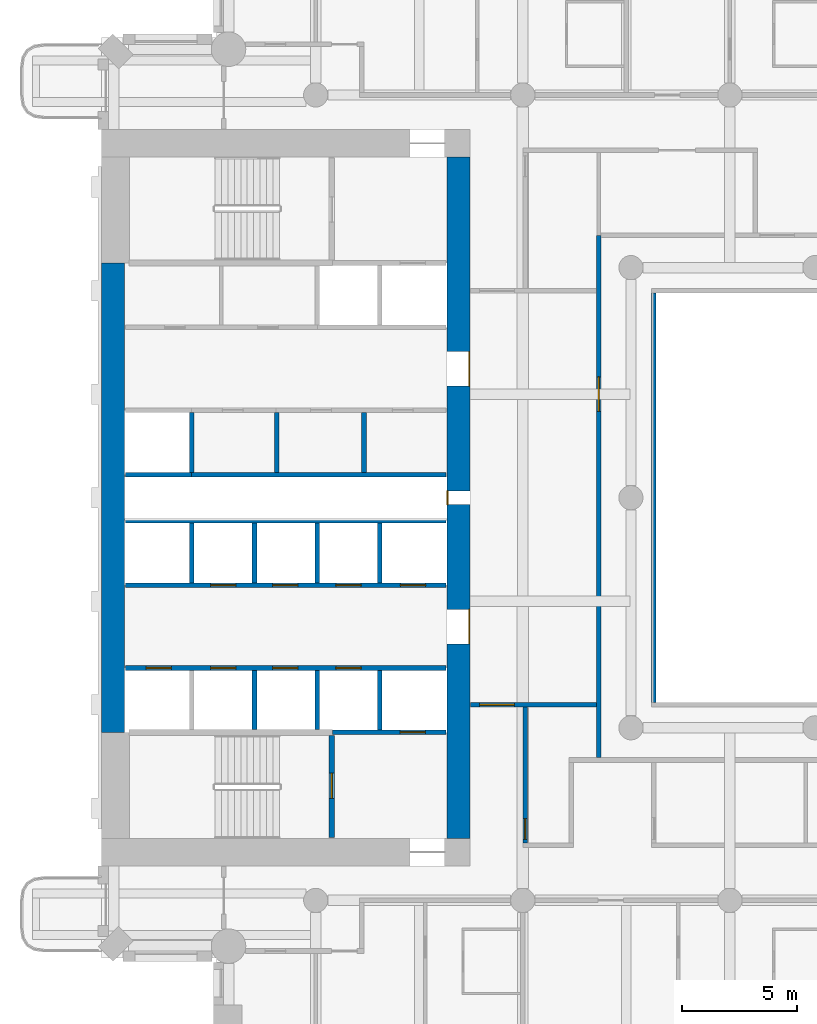
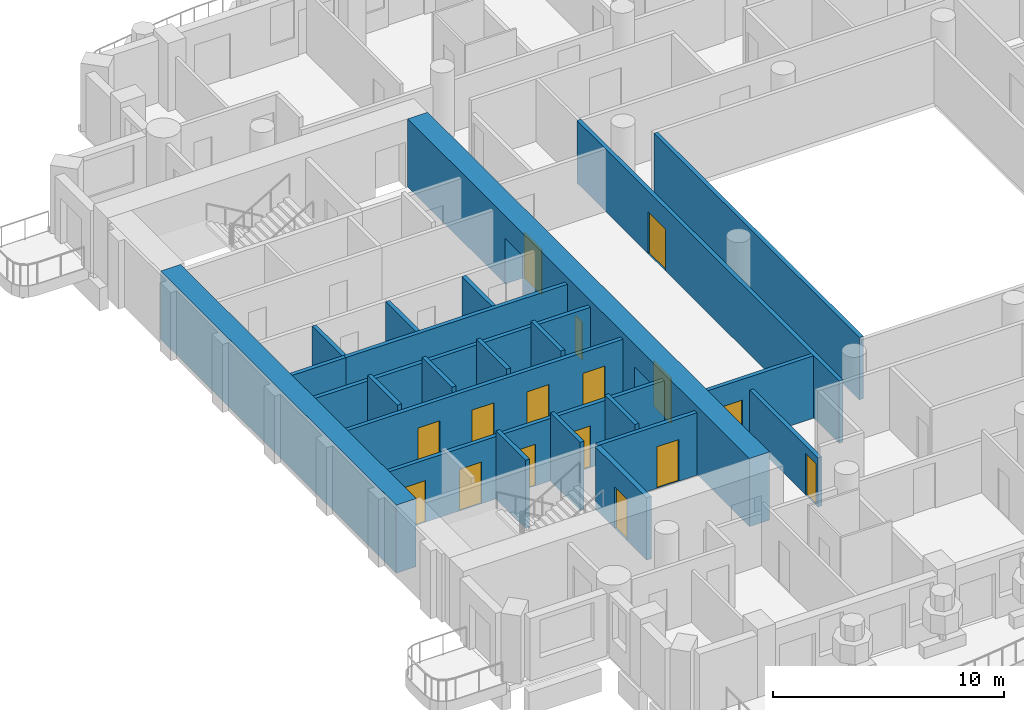
# One storey, part 4 of 20: 23 walls, 16 doors, 16 openings.
"""IFC4 building model written with IfcOpenShell, lengths in metres."""

import ifcopenshell
import ifcopenshell.guid

model = None  # the IFC model being written
_history = None  # IfcOwnerHistory: only IFC2X3 demands one
_inside = {}  # id of a spatial element -> (the spatial element, [elements in it])
_under = {}  # id of a project, library or spatial element -> (it, [spatial elements below it])
_declared = {}  # id of a project -> (the project, [libraries it declares])
_typed = {}  # id of a type object -> (the type object, [elements of that type])
_made_of = {}  # id of a material, layer set ... -> (it, [elements and type objects made of it])


def new_model(schema):
    """Start an empty IFC model of exactly this schema.

    Asked for "IFC4X3", IfcOpenShell would pick the latest addendum, in which some entities
    have other attributes; the version numbers below select the first issue.
    IFC2X3 requires an IfcOwnerHistory on every rooted entity: one is made here for all.
    """
    global model, _history
    if schema == "IFC4X3":
        model = ifcopenshell.file(schema_version=(4, 3, 0, 0))
    else:
        model = ifcopenshell.file(schema=schema)
    _inside.clear()
    _under.clear()
    _declared.clear()
    _typed.clear()
    _made_of.clear()
    _history = None
    if model.schema == "IFC2X3":
        org = make("IfcOrganization", Name="unknown")
        user = make(
            "IfcPersonAndOrganization",
            ThePerson=make("IfcPerson", FamilyName="unknown"),
            TheOrganization=org,
        )
        app = make(
            "IfcApplication",
            ApplicationDeveloper=org,
            Version="unknown",
            ApplicationFullName="unknown",
            ApplicationIdentifier="unknown",
        )
        _history = make(
            "IfcOwnerHistory",
            OwningUser=user,
            OwningApplication=app,
            ChangeAction="ADDED",
            CreationDate=0,
        )
    return model


def make(cls, **values):
    """One entity of the class cls with the attributes given. An attribute that is None is left unset."""
    return model.create_entity(
        cls, **{name: value for name, value in values.items() if value is not None}
    )


def rooted(cls, **values):
    """An entity with a GlobalId (a new one), such as an element, a storey or a relation."""
    return make(cls, GlobalId=ifcopenshell.guid.new(), OwnerHistory=_history, **values)


def si_unit(unit_type, name, prefix=None):
    """IfcSIUnit, for example si_unit("LENGTHUNIT", "METRE", prefix="MILLI")."""
    return make("IfcSIUnit", UnitType=unit_type, Prefix=prefix, Name=name)


def assignment(units):
    """IfcUnitAssignment: the units of a project."""
    return None if units is None else make("IfcUnitAssignment", Units=units)


def point(xyz):
    """IfcCartesianPoint."""
    return None if xyz is None else make("IfcCartesianPoint", Coordinates=xyz)


def direction(xyz):
    """IfcDirection."""
    return None if xyz is None else make("IfcDirection", DirectionRatios=xyz)


def frame(location, z_axis=None, x_axis=None):
    """IfcAxis2Placement3D, a coordinate frame: its origin and axes. An axis left out is left unset."""
    return make(
        "IfcAxis2Placement3D",
        Location=point(location),
        Axis=direction(z_axis),
        RefDirection=direction(x_axis),
    )


def frame_2d(location, x_axis=None):
    """IfcAxis2Placement2D, a coordinate frame in the plane: its origin and x axis."""
    return make(
        "IfcAxis2Placement2D", Location=point(location), RefDirection=direction(x_axis)
    )


def origin():
    """The frame at (0, 0, 0) with its axes left unset."""
    return frame((0.0, 0.0, 0.0))


def place(relative_to, where):
    """IfcLocalPlacement: puts the frame where relative to a parent placement (None: the world)."""
    return make(
        "IfcLocalPlacement", PlacementRelTo=relative_to, RelativePlacement=where
    )


def context(
    kind, dimensions, precision=None, world=None, true_north=None, identifier=None
):
    """IfcGeometricRepresentationContext, for example the 3D "Model" context."""
    return make(
        "IfcGeometricRepresentationContext",
        ContextIdentifier=identifier,
        ContextType=kind,
        CoordinateSpaceDimension=dimensions,
        Precision=precision,
        WorldCoordinateSystem=world,
        TrueNorth=true_north,
    )


def subcontext(parent, identifier, kind, view, scale=None):
    """IfcGeometricRepresentationSubContext, for example "Body" below "Model"."""
    return make(
        "IfcGeometricRepresentationSubContext",
        ContextIdentifier=identifier,
        ContextType=kind,
        ParentContext=parent,
        TargetScale=scale,
        TargetView=view,
    )


def project(units=None, contexts=None):
    """IfcProject with its units and contexts."""
    return rooted(
        "IfcProject",
        Name="project",
        RepresentationContexts=contexts,
        UnitsInContext=assignment(units),
    )


def spatial(cls, under=None, at=None, **own):
    """A site, building, storey or space (cls), placed at a placement, below another one or the project."""
    s = rooted(cls, ObjectPlacement=at, **own)
    if under is not None:
        _under.setdefault(under.id(), (under, []))[1].append(s)
    return s


def profile(cls, at=None, kind="AREA", **sizes):
    """A parametric profile (cls). Its sizes go by their IFC names, for example OverallWidth=200.0."""
    return make(cls, ProfileType=kind, Position=at, **sizes)


def rectangle(**sizes):
    """IfcRectangleProfileDef."""
    return profile("IfcRectangleProfileDef", **sizes)


def extrude(swept, where, along, depth):
    """IfcExtrudedAreaSolid: the profile swept, set in the frame where, extruded along a direction by depth."""
    return make(
        "IfcExtrudedAreaSolid",
        SweptArea=swept,
        Position=where,
        ExtrudedDirection=direction(along),
        Depth=depth,
    )


def shape(context_of_items, identifier, shape_type, items):
    """IfcShapeRepresentation: the items that make up one representation, for example the "Body"."""
    return make(
        "IfcShapeRepresentation",
        ContextOfItems=context_of_items,
        RepresentationIdentifier=identifier,
        RepresentationType=shape_type,
        Items=items,
    )


def material(Name=None, Category=None):
    """IfcMaterial."""
    return make("IfcMaterial", Name=Name, Category=Category)


def layer(
    of_material, thickness, ventilated=None, Name=None, Category=None, Priority=None
):
    """IfcMaterialLayer: one layer of a wall or slab, of a material (None: an air gap)."""
    return make(
        "IfcMaterialLayer",
        Material=of_material,
        LayerThickness=thickness,
        IsVentilated=ventilated,
        Name=Name,
        Category=Category,
        Priority=Priority,
    )


def layer_set(layers, Name=None):
    """IfcMaterialLayerSet."""
    return make("IfcMaterialLayerSet", MaterialLayers=layers, LayerSetName=Name)


def made_of(thing, what):
    """Note that an element or type object is made of a material, layer set ...; save() writes the relation."""
    if what is not None:
        _made_of.setdefault(what.id(), (what, []))[1].append(thing)
    return thing


def type_object(cls, material=None, **own):
    """A type object (cls), such as IfcWallType, which elements share."""
    return made_of(rooted(cls, **own), material)


def element(
    cls,
    number,
    at=None,
    inside=None,
    cuts=None,
    type_object=None,
    material=None,
    context=None,
    identifier="Body",
    shape_type=None,
    held_by="IfcProductDefinitionShape",
    body=None,
    shapes=None,
    **own,
):
    """One element of the class cls, such as IfcWall. Its Tag is "e" and its number.

    at: its placement. inside: the storey or other place that contains it. cuts: it is an
    opening in that element (IfcRelVoidsElement). A single representation is given by context,
    identifier, shape_type and body (its items); several are given by shapes. held_by: the class
    of the entity that holds the representations. save() writes the other relations.
    """
    e = rooted(cls, Tag="e%d" % number, ObjectPlacement=at, **own)
    if body is not None:
        shapes = [shape(context, identifier, shape_type, body)]
    if shapes is not None:
        e.Representation = make(held_by, Representations=shapes)
    if inside is not None:
        _inside.setdefault(inside.id(), (inside, []))[1].append(e)
    if cuts is not None:
        rooted(
            "IfcRelVoidsElement", RelatingBuildingElement=cuts, RelatedOpeningElement=e
        )
    if type_object is not None:
        _typed.setdefault(type_object.id(), (type_object, []))[1].append(e)
    return made_of(e, material)


def fill(opening, filler):
    """IfcRelFillsElement: the door or window that sits in an opening."""
    return rooted(
        "IfcRelFillsElement",
        RelatingOpeningElement=opening,
        RelatedBuildingElement=filler,
    )


def aggregate(whole, parts):
    """IfcRelAggregates: a whole, such as a stair, and the parts it consists of."""
    return rooted("IfcRelAggregates", RelatingObject=whole, RelatedObjects=parts)


def save(model, path):
    """Write the relations noted so far, then the file.

    IfcRelAggregates (storeys below a building ...), IfcRelContainedInSpatialStructure (elements
    in a storey), IfcRelDefinesByType, IfcRelAssociatesMaterial and IfcRelDeclares: one each for
    every whole, place, type object, material and project.
    """
    for whole, parts in _under.values():
        aggregate(whole, parts)
    for where, things in _inside.values():
        rooted(
            "IfcRelContainedInSpatialStructure",
            RelatedElements=things,
            RelatingStructure=where,
        )
    for kind, things in _typed.values():
        rooted("IfcRelDefinesByType", RelatedObjects=things, RelatingType=kind)
    for what, things in _made_of.values():
        rooted("IfcRelAssociatesMaterial", RelatedObjects=things, RelatingMaterial=what)
    for by, libraries in _declared.values():
        rooted("IfcRelDeclares", RelatingContext=by, RelatedDefinitions=libraries)
    model.write(path)


model = new_model("IFC4")

# Units and contexts
model_context = context("Model", 3, precision=1e-05, world=origin(), true_north=direction((0.0, 1.0)))
body_context = subcontext(model_context, "Body", "Model", "MODEL_VIEW")
ifc_project = project(units=[si_unit("LENGTHUNIT", "METRE"), si_unit("AREAUNIT", "SQUARE_METRE"), si_unit("VOLUMEUNIT", "CUBIC_METRE"), si_unit("PLANEANGLEUNIT", "RADIAN"), si_unit("MASSUNIT", "GRAM", prefix="KILO")], contexts=[model_context])

# Site, building, storey
site_placement = place(None, origin())
site = spatial("IfcSite", under=ifc_project, at=site_placement, CompositionType="ELEMENT")
building_placement = place(site_placement, origin())
building = spatial("IfcBuilding", under=site, at=building_placement, Name="Cypress Arch Tower", CompositionType="ELEMENT")
storey_placement = place(building_placement, frame((0.0, 0.0, 131.10009765625)))
storey = spatial("IfcBuildingStorey", under=building, at=storey_placement, Name="L28", CompositionType="ELEMENT", Elevation=131.10009765625)

# Wall, openings, doors
ifc_material_1 = material(Name="Concrete C80/95", Category="concrete")
ifc_layer_1 = layer(ifc_material_1, 1.0)
ifc_layer_set_1 = layer_set([ifc_layer_1], Name="Core wall CW1000 C80/95")
wall_type_1 = type_object("IfcWallType", Name="Core wall CW1000 C80/95", PredefinedType="SHEAR", material=ifc_layer_set_1)
wall_1_placement = place(storey_placement, frame((-14.5, -14.800048828125, 0.0), z_axis=(0.0, 0.0, 1.0), x_axis=(0.0, 1.0, 0.0)))
wall_1 = element("IfcWall", 1, at=wall_1_placement, inside=storey, type_object=wall_type_1, Name="Core wall", PredefinedType="SHEAR", context=body_context, shape_type="SweptSolid", body=[
    extrude(rectangle(XDim=29.60009765625, YDim=1.0, at=frame_2d((14.800048828125, 0.0))), origin(), (0.0, 0.0, 1.0), 3.599853515625),
])
opening_1_placement = place(wall_1_placement, frame((8.449951171875, 0.0, 0.0)))
opening_1 = element("IfcOpeningElement", 2, at=opening_1_placement, cuts=wall_1, Name="Opening D07", PredefinedType="OPENING", context=body_context, shape_type="SweptSolid", body=[
    extrude(rectangle(XDim=1.5, YDim=2.39990234375, at=frame_2d((0.75, 1.199951171875))), frame((0.0, 0.510009765625, 0.0), z_axis=(0.0, -1.0, 0.0), x_axis=(1.0, 0.0, 0.0)), (0.0, 0.0, 1.0), 1.02001953125),
])
opening_2_placement = place(wall_1_placement, frame((19.64990234375, 0.0, 0.0)))
opening_2 = element("IfcOpeningElement", 3, at=opening_2_placement, cuts=wall_1, Name="Opening D07", PredefinedType="OPENING", context=body_context, shape_type="SweptSolid", body=[
    extrude(rectangle(XDim=1.5, YDim=2.39990234375, at=frame_2d((0.75, 1.199951171875))), frame((0.0, 0.510009765625, 0.0), z_axis=(0.0, -1.0, 0.0), x_axis=(1.0, 0.0, 0.0)), (0.0, 0.0, 1.0), 1.02001953125),
])
opening_3_placement = place(wall_1_placement, frame((14.5, 0.0, 0.0)))
opening_3 = element("IfcOpeningElement", 4, at=opening_3_placement, cuts=wall_1, Name="Opening D08", PredefinedType="OPENING", context=body_context, shape_type="SweptSolid", body=[
    extrude(rectangle(XDim=0.60009765625, YDim=2.0, at=frame_2d((0.300048828125, 1.0))), frame((0.0, 0.510009765625, 0.0), z_axis=(0.0, -1.0, 0.0), x_axis=(1.0, 0.0, 0.0)), (0.0, 0.0, 1.0), 1.02001953125),
])
ifc_material_2 = material(Name="Steel framed glazed door, fire resisting", Category="steel")
door_type_1 = type_object("IfcDoorType", Name="Lobby door D07 1500x2400", OperationType="DOUBLE_DOOR_SINGLE_SWING", PredefinedType="DOOR", material=ifc_material_2)
door_1_placement = place(opening_1_placement, origin())
door_1 = element("IfcDoor", 5, at=door_1_placement, inside=storey, type_object=door_type_1, Name="Lobby door", OperationType="DOUBLE_DOOR_SINGLE_SWING", OverallHeight=2.39990234375, OverallWidth=1.5, PredefinedType="DOOR", context=body_context, shape_type="SweptSolid", body=[
    extrude(rectangle(XDim=1.5, YDim=2.39990234375, at=frame_2d((0.75, 1.199951171875))), frame((0.0, -0.44482421875, 0.0), z_axis=(0.0, -1.0, 0.0), x_axis=(1.0, 0.0, 0.0)), (0.0, 0.0, 1.0), 0.050048828125),
])
fill(opening_1, door_1)
door_2_placement = place(opening_2_placement, origin())
door_2 = element("IfcDoor", 6, at=door_2_placement, inside=storey, type_object=door_type_1, Name="Lobby door", OperationType="DOUBLE_DOOR_SINGLE_SWING", OverallHeight=2.39990234375, OverallWidth=1.5, PredefinedType="DOOR", context=body_context, shape_type="SweptSolid", body=[
    extrude(rectangle(XDim=1.5, YDim=2.39990234375, at=frame_2d((0.75, 1.199951171875))), frame((0.0, -0.44482421875, 0.0), z_axis=(0.0, -1.0, 0.0), x_axis=(1.0, 0.0, 0.0)), (0.0, 0.0, 1.0), 0.050048828125),
])
fill(opening_2, door_2)
ifc_material_3 = material(Name="Steel access door, fire resisting", Category="steel")
door_type_2 = type_object("IfcDoorType", Name="Riser access door D08 600x2000", OperationType="SINGLE_SWING_LEFT", PredefinedType="DOOR", material=ifc_material_3)
door_3_placement = place(opening_3_placement, origin())
door_3 = element("IfcDoor", 7, at=door_3_placement, inside=storey, type_object=door_type_2, Name="Riser access door", OperationType="SINGLE_SWING_RIGHT", OverallHeight=2.0, OverallWidth=0.60009765625, PredefinedType="DOOR", context=body_context, shape_type="SweptSolid", body=[
    extrude(rectangle(XDim=0.60009765625, YDim=2.0, at=frame_2d((0.300048828125, 1.0))), frame((0.0, 0.4951171875, 0.0), z_axis=(0.0, -1.0, 0.0), x_axis=(1.0, 0.0, 0.0)), (0.0, 0.0, 1.0), 0.050048828125),
])
fill(opening_3, door_3)

# Wall
wall_2_placement = place(storey_placement, frame((-29.5, -10.199951171875, 0.0), z_axis=(0.0, 0.0, 1.0), x_axis=(0.0, 1.0, 0.0)))
element("IfcWall", 8, at=wall_2_placement, inside=storey, type_object=wall_type_1, Name="Core wall", PredefinedType="SHEAR", context=body_context, shape_type="SweptSolid", body=[
    extrude(rectangle(XDim=20.39990234375, YDim=1.0, at=frame_2d((10.199951171875, 0.0))), origin(), (0.0, 0.0, 1.0), 3.599853515625),
])

# Wall, opening, door
ifc_material_4 = material(Name="Concrete blockwork, plastered, rated", Category="masonry")
ifc_layer_2 = layer(ifc_material_4, 0.199951171875)
ifc_layer_set_2 = layer_set([ifc_layer_2], Name="Corridor wall FW200")
wall_type_2 = type_object("IfcWallType", Name="Corridor wall FW200", PredefinedType="PARTITIONING", material=ifc_layer_set_2)
wall_3_placement = place(storey_placement, frame((-13.969970703125, -9.0, 0.0), z_axis=(0.0, 0.0, 1.0), x_axis=(1.0, 0.0, 0.0)))
wall_3 = element("IfcWall", 9, at=wall_3_placement, inside=storey, type_object=wall_type_2, Name="Corridor wall", PredefinedType="PARTITIONING", context=body_context, shape_type="SweptSolid", body=[
    extrude(rectangle(XDim=5.469970703125, YDim=0.199951171875, at=frame_2d((2.73486328125, 0.0))), origin(), (0.0, 0.0, 1.0), 3.2998046875),
])
opening_4_placement = place(wall_3_placement, frame((0.39990234375, 0.0, 0.0)))
opening_4 = element("IfcOpeningElement", 10, at=opening_4_placement, cuts=wall_3, Name="Opening D04", PredefinedType="OPENING", context=body_context, shape_type="SweptSolid", body=[
    extrude(rectangle(XDim=1.5, YDim=2.199951171875, at=frame_2d((0.75, 1.10009765625))), frame((0.0, 0.10986328125, 0.0), z_axis=(0.0, -1.0, 0.0), x_axis=(1.0, 0.0, 0.0)), (0.0, 0.0, 1.0), 0.219970703125),
])
ifc_material_5 = material(Name="Timber double door", Category="wood")
door_type_3 = type_object("IfcDoorType", Name="Double door D04 1500x2200", OperationType="DOUBLE_DOOR_SINGLE_SWING", PredefinedType="DOOR", material=ifc_material_5)
door_4_placement = place(opening_4_placement, origin())
door_4 = element("IfcDoor", 11, at=door_4_placement, inside=storey, type_object=door_type_3, Name="Double door", OperationType="DOUBLE_DOOR_SINGLE_SWING", OverallHeight=2.199951171875, OverallWidth=1.5, PredefinedType="DOOR", context=body_context, shape_type="SweptSolid", body=[
    extrude(rectangle(XDim=1.5, YDim=2.199951171875, at=frame_2d((0.75, 1.10009765625))), frame((0.0, 0.02490234375, 0.0), z_axis=(0.0, -1.0, 0.0), x_axis=(1.0, 0.0, 0.0)), (0.0, 0.0, 1.0), 0.050048828125),
])
fill(opening_4, door_4)

wall_4_placement = place(storey_placement, frame((-11.60009765625, -15.0, 0.0), z_axis=(0.0, 0.0, 1.0), x_axis=(0.0, 1.0, 0.0)))
wall_4 = element("IfcWall", 12, at=wall_4_placement, inside=storey, type_object=wall_type_2, Name="Corridor wall", PredefinedType="PARTITIONING", context=body_context, shape_type="SweptSolid", body=[
    extrude(rectangle(XDim=5.89990234375, YDim=0.199951171875, at=frame_2d((2.949951171875, 0.0))), origin(), (0.0, 0.0, 1.0), 2.599853515625),
])
opening_5_placement = place(wall_4_placement, frame((0.14990234375, 0.0, 0.0)))
opening_5 = element("IfcOpeningElement", 13, at=opening_5_placement, cuts=wall_4, Name="Opening D05", PredefinedType="OPENING", context=body_context, shape_type="SweptSolid", body=[
    extrude(rectangle(XDim=0.89990234375, YDim=2.199951171875, at=frame_2d((0.449951171875, 1.10009765625))), frame((0.0, 0.10986328125, 0.0), z_axis=(0.0, -1.0, 0.0), x_axis=(1.0, 0.0, 0.0)), (0.0, 0.0, 1.0), 0.219970703125),
])
ifc_material_6 = material(Name="Timber flush door", Category="wood")
door_type_4 = type_object("IfcDoorType", Name="Service door D05 900x2200", OperationType="SINGLE_SWING_LEFT", PredefinedType="DOOR", material=ifc_material_6)
door_5_placement = place(opening_5_placement, origin())
door_5 = element("IfcDoor", 14, at=door_5_placement, inside=storey, type_object=door_type_4, Name="Service door", OperationType="SINGLE_SWING_RIGHT", OverallHeight=2.199951171875, OverallWidth=0.89990234375, PredefinedType="DOOR", context=body_context, shape_type="SweptSolid", body=[
    extrude(rectangle(XDim=0.89990234375, YDim=2.199951171875, at=frame_2d((0.449951171875, 1.10009765625))), frame((0.0, 0.02490234375, 0.0), z_axis=(0.0, -1.0, 0.0), x_axis=(1.0, 0.0, 0.0)), (0.0, 0.0, 1.0), 0.050048828125),
])
fill(opening_5, door_5)

wall_5_placement = place(storey_placement, frame((-8.39990234375, -11.300048828125, 0.0), z_axis=(0.0, 0.0, 1.0), x_axis=(0.0, 1.0, 0.0)))
wall_5 = element("IfcWall", 15, at=wall_5_placement, inside=storey, type_object=wall_type_2, Name="Corridor wall", PredefinedType="PARTITIONING", context=body_context, shape_type="SweptSolid", body=[
    extrude(rectangle(XDim=22.699951171875, YDim=0.199951171875, at=frame_2d((11.35009765625, 0.0))), origin(), (0.0, 0.0, 1.0), 3.2998046875),
])
opening_6_placement = place(wall_5_placement, frame((15.050048828125, 0.0, 0.0)))
opening_6 = element("IfcOpeningElement", 16, at=opening_6_placement, cuts=wall_5, Name="Opening D04", PredefinedType="OPENING", context=body_context, shape_type="SweptSolid", body=[
    extrude(rectangle(XDim=1.5, YDim=2.199951171875, at=frame_2d((0.75, 1.10009765625))), frame((0.0, 0.10986328125, 0.0), z_axis=(0.0, -1.0, 0.0), x_axis=(1.0, 0.0, 0.0)), (0.0, 0.0, 1.0), 0.219970703125),
])
door_6_placement = place(opening_6_placement, origin())
door_6 = element("IfcDoor", 17, at=door_6_placement, inside=storey, type_object=door_type_3, Name="Double door", OperationType="DOUBLE_DOOR_SINGLE_SWING", OverallHeight=2.199951171875, OverallWidth=1.5, PredefinedType="DOOR", context=body_context, shape_type="SweptSolid", body=[
    extrude(rectangle(XDim=1.5, YDim=2.199951171875, at=frame_2d((0.75, 1.10009765625))), frame((0.0, 0.02490234375, 0.0), z_axis=(0.0, -1.0, 0.0), x_axis=(1.0, 0.0, 0.0)), (0.0, 0.0, 1.0), 0.050048828125),
])
fill(opening_6, door_6)

# Walls
wall_6_placement = place(storey_placement, frame((-6.0, -8.89990234375, 0.0), z_axis=(0.0, 0.0, 1.0), x_axis=(0.0, 1.0, 0.0)))
element("IfcWall", 18, at=wall_6_placement, inside=storey, type_object=wall_type_2, Name="Corridor wall", PredefinedType="PARTITIONING", context=body_context, shape_type="SweptSolid", body=[
    extrude(rectangle(XDim=17.7998046875, YDim=0.199951171875, at=frame_2d((8.89990234375, 0.0))), origin(), (0.0, 0.0, 1.0), 3.2998046875),
])
ifc_material_7 = material(Name="Reinforced blockwork, plastered, rated", Category="masonry")
ifc_layer_3 = layer(ifc_material_7, 0.199951171875)
ifc_layer_set_3 = layer_set([ifc_layer_3], Name="Plant and riser wall PL200")
wall_type_3 = type_object("IfcWallType", Name="Plant and riser wall PL200", PredefinedType="PARTITIONING", material=ifc_layer_set_3)
wall_7_placement = place(storey_placement, frame((-26.10009765625, 1.0, 0.0), z_axis=(0.0, 0.0, 1.0), x_axis=(1.0, 0.0, 0.0)))
element("IfcWall", 19, at=wall_7_placement, inside=storey, type_object=wall_type_3, Name="Plant and riser wall", PredefinedType="PARTITIONING", context=body_context, shape_type="SweptSolid", body=[
    extrude(rectangle(XDim=11.070068359375, YDim=0.199951171875, at=frame_2d((5.53515625, 0.0))), origin(), (0.0, 0.0, 1.0), 3.2998046875),
])
for number, where, z_axis, x_axis, name in (
    (20, (-22.39990234375, 1.10009765625, 0.0), (0.0, 0.0, 1.0), (0.0, 1.0, 0.0), "Plant and riser wall"),
    (21, (-18.60009765625, 1.10009765625, 0.0), (0.0, 0.0, 1.0), (0.0, 1.0, 0.0), "Plant and riser wall"),
):
    element("IfcWall", number, at=place(storey_placement, frame(where, z_axis=z_axis, x_axis=x_axis)), inside=storey, type_object=wall_type_3, Name=name, PredefinedType="PARTITIONING", context=body_context, shape_type="SweptSolid", body=[
        extrude(rectangle(XDim=2.599853515625, YDim=0.199951171875, at=frame_2d((1.2998046875, 0.0))), origin(), (0.0, 0.0, 1.0), 3.2998046875),
    ])

# Wall, openings, doors
ifc_material_8 = material(Name="Concrete C50/60", Category="concrete")
ifc_layer_4 = layer(ifc_material_8, 0.199951171875)
ifc_layer_set_4 = layer_set([ifc_layer_4], Name="Shaft wall SH200")
wall_type_4 = type_object("IfcWallType", Name="Shaft wall SH200", PredefinedType="SHEAR", material=ifc_layer_set_4)
wall_8_placement = place(storey_placement, frame((-28.969970703125, -7.39990234375, 0.0), z_axis=(0.0, 0.0, 1.0), x_axis=(1.0, 0.0, 0.0)))
wall_8 = element("IfcWall", 22, at=wall_8_placement, inside=storey, type_object=wall_type_4, Name="Shaft wall", PredefinedType="SHEAR", context=body_context, shape_type="SweptSolid", body=[
    extrude(rectangle(XDim=13.93994140625, YDim=0.199951171875, at=frame_2d((6.969970703125, 0.0))), origin(), (0.0, 0.0, 1.0), 3.2998046875),
])
opening_7_placement = place(wall_8_placement, frame((0.89990234375, 0.0, 0.0)))
opening_7 = element("IfcOpeningElement", 23, at=opening_7_placement, cuts=wall_8, Name="Opening LD-LR1", PredefinedType="OPENING", context=body_context, shape_type="SweptSolid", body=[
    extrude(rectangle(XDim=1.10009765625, YDim=2.199951171875, at=frame_2d((0.550048828125, 1.10009765625))), frame((0.0, 0.10986328125, 0.0), z_axis=(0.0, -1.0, 0.0), x_axis=(1.0, 0.0, 0.0)), (0.0, 0.0, 1.0), 0.219970703125),
])
opening_8_placement = place(wall_8_placement, frame((3.699951171875, 0.0, 0.0)))
opening_8 = element("IfcOpeningElement", 24, at=opening_8_placement, cuts=wall_8, Name="Opening LD-LR2", PredefinedType="OPENING", context=body_context, shape_type="SweptSolid", body=[
    extrude(rectangle(XDim=1.10009765625, YDim=2.199951171875, at=frame_2d((0.550048828125, 1.10009765625))), frame((0.0, 0.10986328125, 0.0), z_axis=(0.0, -1.0, 0.0), x_axis=(1.0, 0.0, 0.0)), (0.0, 0.0, 1.0), 0.219970703125),
])
opening_9_placement = place(wall_8_placement, frame((6.39990234375, 0.0, 0.0)))
opening_9 = element("IfcOpeningElement", 25, at=opening_9_placement, cuts=wall_8, Name="Opening LD-LR3", PredefinedType="OPENING", context=body_context, shape_type="SweptSolid", body=[
    extrude(rectangle(XDim=1.10009765625, YDim=2.199951171875, at=frame_2d((0.550048828125, 1.10009765625))), frame((0.0, 0.10986328125, 0.0), z_axis=(0.0, -1.0, 0.0), x_axis=(1.0, 0.0, 0.0)), (0.0, 0.0, 1.0), 0.219970703125),
])
opening_10_placement = place(wall_8_placement, frame((9.14990234375, 0.0, 0.0)))
opening_10 = element("IfcOpeningElement", 26, at=opening_10_placement, cuts=wall_8, Name="Opening LD-LR4", PredefinedType="OPENING", context=body_context, shape_type="SweptSolid", body=[
    extrude(rectangle(XDim=1.10009765625, YDim=2.199951171875, at=frame_2d((0.550048828125, 1.10009765625))), frame((0.0, 0.10986328125, 0.0), z_axis=(0.0, -1.0, 0.0), x_axis=(1.0, 0.0, 0.0)), (0.0, 0.0, 1.0), 0.219970703125),
])
ifc_material_9 = material(Name="Stainless steel centre-opening landing door, rated", Category="steel")
door_type_5 = type_object("IfcDoorType", Name="Lift landing door LD 1100x2200", OperationType="DOUBLE_DOOR_SLIDING", PredefinedType="DOOR", material=ifc_material_9)
door_7_placement = place(opening_7_placement, origin())
door_7 = element("IfcDoor", 27, at=door_7_placement, inside=storey, type_object=door_type_5, Name="Lift landing doors LR1", OperationType="DOUBLE_DOOR_SLIDING", OverallHeight=2.199951171875, OverallWidth=1.10009765625, PredefinedType="DOOR", context=body_context, shape_type="SweptSolid", body=[
    extrude(rectangle(XDim=1.10009765625, YDim=2.199951171875, at=frame_2d((0.550048828125, 1.10009765625))), frame((0.0, 0.02490234375, 0.0), z_axis=(0.0, -1.0, 0.0), x_axis=(1.0, 0.0, 0.0)), (0.0, 0.0, 1.0), 0.050048828125),
])
fill(opening_7, door_7)
door_8_placement = place(opening_8_placement, origin())
door_8 = element("IfcDoor", 28, at=door_8_placement, inside=storey, type_object=door_type_5, Name="Lift landing doors LR2", OperationType="DOUBLE_DOOR_SLIDING", OverallHeight=2.199951171875, OverallWidth=1.10009765625, PredefinedType="DOOR", context=body_context, shape_type="SweptSolid", body=[
    extrude(rectangle(XDim=1.10009765625, YDim=2.199951171875, at=frame_2d((0.550048828125, 1.10009765625))), frame((0.0, 0.02490234375, 0.0), z_axis=(0.0, -1.0, 0.0), x_axis=(1.0, 0.0, 0.0)), (0.0, 0.0, 1.0), 0.050048828125),
])
fill(opening_8, door_8)
door_9_placement = place(opening_9_placement, origin())
door_9 = element("IfcDoor", 29, at=door_9_placement, inside=storey, type_object=door_type_5, Name="Lift landing doors LR3", OperationType="DOUBLE_DOOR_SLIDING", OverallHeight=2.199951171875, OverallWidth=1.10009765625, PredefinedType="DOOR", context=body_context, shape_type="SweptSolid", body=[
    extrude(rectangle(XDim=1.10009765625, YDim=2.199951171875, at=frame_2d((0.550048828125, 1.10009765625))), frame((0.0, 0.02490234375, 0.0), z_axis=(0.0, -1.0, 0.0), x_axis=(1.0, 0.0, 0.0)), (0.0, 0.0, 1.0), 0.050048828125),
])
fill(opening_9, door_9)
door_10_placement = place(opening_10_placement, origin())
door_10 = element("IfcDoor", 30, at=door_10_placement, inside=storey, type_object=door_type_5, Name="Lift landing doors LR4", OperationType="DOUBLE_DOOR_SLIDING", OverallHeight=2.199951171875, OverallWidth=1.10009765625, PredefinedType="DOOR", context=body_context, shape_type="SweptSolid", body=[
    extrude(rectangle(XDim=1.10009765625, YDim=2.199951171875, at=frame_2d((0.550048828125, 1.10009765625))), frame((0.0, 0.02490234375, 0.0), z_axis=(0.0, -1.0, 0.0), x_axis=(1.0, 0.0, 0.0)), (0.0, 0.0, 1.0), 0.050048828125),
])
fill(opening_10, door_10)

wall_9_placement = place(storey_placement, frame((-28.969970703125, -3.800048828125, 0.0), z_axis=(0.0, 0.0, 1.0), x_axis=(1.0, 0.0, 0.0)))
wall_9 = element("IfcWall", 31, at=wall_9_placement, inside=storey, type_object=wall_type_4, Name="Shaft wall", PredefinedType="SHEAR", context=body_context, shape_type="SweptSolid", body=[
    extrude(rectangle(XDim=13.93994140625, YDim=0.199951171875, at=frame_2d((6.969970703125, 0.0))), origin(), (0.0, 0.0, 1.0), 3.2998046875),
])
opening_11_placement = place(wall_9_placement, frame((3.699951171875, 0.0, 0.0)))
opening_11 = element("IfcOpeningElement", 32, at=opening_11_placement, cuts=wall_9, Name="Opening LD-LR5", PredefinedType="OPENING", context=body_context, shape_type="SweptSolid", body=[
    extrude(rectangle(XDim=1.10009765625, YDim=2.199951171875, at=frame_2d((0.550048828125, 1.10009765625))), frame((0.0, 0.10986328125, 0.0), z_axis=(0.0, -1.0, 0.0), x_axis=(1.0, 0.0, 0.0)), (0.0, 0.0, 1.0), 0.219970703125),
])
opening_12_placement = place(wall_9_placement, frame((6.39990234375, 0.0, 0.0)))
opening_12 = element("IfcOpeningElement", 33, at=opening_12_placement, cuts=wall_9, Name="Opening LD-LR6", PredefinedType="OPENING", context=body_context, shape_type="SweptSolid", body=[
    extrude(rectangle(XDim=1.10009765625, YDim=2.199951171875, at=frame_2d((0.550048828125, 1.10009765625))), frame((0.0, 0.10986328125, 0.0), z_axis=(0.0, -1.0, 0.0), x_axis=(1.0, 0.0, 0.0)), (0.0, 0.0, 1.0), 0.219970703125),
])
opening_13_placement = place(wall_9_placement, frame((9.14990234375, 0.0, 0.0)))
opening_13 = element("IfcOpeningElement", 34, at=opening_13_placement, cuts=wall_9, Name="Opening LD-LR7", PredefinedType="OPENING", context=body_context, shape_type="SweptSolid", body=[
    extrude(rectangle(XDim=1.10009765625, YDim=2.199951171875, at=frame_2d((0.550048828125, 1.10009765625))), frame((0.0, 0.10986328125, 0.0), z_axis=(0.0, -1.0, 0.0), x_axis=(1.0, 0.0, 0.0)), (0.0, 0.0, 1.0), 0.219970703125),
])
opening_14_placement = place(wall_9_placement, frame((11.949951171875, 0.0, 0.0)))
opening_14 = element("IfcOpeningElement", 35, at=opening_14_placement, cuts=wall_9, Name="Opening LD-LR8", PredefinedType="OPENING", context=body_context, shape_type="SweptSolid", body=[
    extrude(rectangle(XDim=1.10009765625, YDim=2.199951171875, at=frame_2d((0.550048828125, 1.10009765625))), frame((0.0, 0.10986328125, 0.0), z_axis=(0.0, -1.0, 0.0), x_axis=(1.0, 0.0, 0.0)), (0.0, 0.0, 1.0), 0.219970703125),
])
door_11_placement = place(opening_11_placement, origin())
door_11 = element("IfcDoor", 36, at=door_11_placement, inside=storey, type_object=door_type_5, Name="Lift landing doors LR5", OperationType="DOUBLE_DOOR_SLIDING", OverallHeight=2.199951171875, OverallWidth=1.10009765625, PredefinedType="DOOR", context=body_context, shape_type="SweptSolid", body=[
    extrude(rectangle(XDim=1.10009765625, YDim=2.199951171875, at=frame_2d((0.550048828125, 1.10009765625))), frame((0.0, 0.02490234375, 0.0), z_axis=(0.0, -1.0, 0.0), x_axis=(1.0, 0.0, 0.0)), (0.0, 0.0, 1.0), 0.050048828125),
])
fill(opening_11, door_11)
door_12_placement = place(opening_12_placement, origin())
door_12 = element("IfcDoor", 37, at=door_12_placement, inside=storey, type_object=door_type_5, Name="Lift landing doors LR6", OperationType="DOUBLE_DOOR_SLIDING", OverallHeight=2.199951171875, OverallWidth=1.10009765625, PredefinedType="DOOR", context=body_context, shape_type="SweptSolid", body=[
    extrude(rectangle(XDim=1.10009765625, YDim=2.199951171875, at=frame_2d((0.550048828125, 1.10009765625))), frame((0.0, 0.02490234375, 0.0), z_axis=(0.0, -1.0, 0.0), x_axis=(1.0, 0.0, 0.0)), (0.0, 0.0, 1.0), 0.050048828125),
])
fill(opening_12, door_12)
door_13_placement = place(opening_13_placement, origin())
door_13 = element("IfcDoor", 38, at=door_13_placement, inside=storey, type_object=door_type_5, Name="Lift landing doors LR7", OperationType="DOUBLE_DOOR_SLIDING", OverallHeight=2.199951171875, OverallWidth=1.10009765625, PredefinedType="DOOR", context=body_context, shape_type="SweptSolid", body=[
    extrude(rectangle(XDim=1.10009765625, YDim=2.199951171875, at=frame_2d((0.550048828125, 1.10009765625))), frame((0.0, 0.02490234375, 0.0), z_axis=(0.0, -1.0, 0.0), x_axis=(1.0, 0.0, 0.0)), (0.0, 0.0, 1.0), 0.050048828125),
])
fill(opening_13, door_13)
door_14_placement = place(opening_14_placement, origin())
door_14 = element("IfcDoor", 39, at=door_14_placement, inside=storey, type_object=door_type_5, Name="Lift landing doors LR8", OperationType="DOUBLE_DOOR_SLIDING", OverallHeight=2.199951171875, OverallWidth=1.10009765625, PredefinedType="DOOR", context=body_context, shape_type="SweptSolid", body=[
    extrude(rectangle(XDim=1.10009765625, YDim=2.199951171875, at=frame_2d((0.550048828125, 1.10009765625))), frame((0.0, 0.02490234375, 0.0), z_axis=(0.0, -1.0, 0.0), x_axis=(1.0, 0.0, 0.0)), (0.0, 0.0, 1.0), 0.050048828125),
])
fill(opening_14, door_14)

# Walls
wall_10_placement = place(storey_placement, frame((-28.969970703125, -1.0, 0.0), z_axis=(0.0, 0.0, 1.0), x_axis=(1.0, 0.0, 0.0)))
element("IfcWall", 40, at=wall_10_placement, inside=storey, type_object=wall_type_4, Name="Shaft wall", PredefinedType="SHEAR", context=body_context, shape_type="SweptSolid", body=[
    extrude(rectangle(XDim=13.93994140625, YDim=0.199951171875, at=frame_2d((6.969970703125, 0.0))), origin(), (0.0, 0.0, 1.0), 3.2998046875),
])
wall_11_placement = place(storey_placement, frame((-28.969970703125, 1.0, 0.0), z_axis=(0.0, 0.0, 1.0), x_axis=(1.0, 0.0, 0.0)))
element("IfcWall", 41, at=wall_11_placement, inside=storey, type_object=wall_type_4, Name="Shaft wall", PredefinedType="SHEAR", context=body_context, shape_type="SweptSolid", body=[
    extrude(rectangle(XDim=2.869873046875, YDim=0.199951171875, at=frame_2d((1.43505859375, 0.0))), origin(), (0.0, 0.0, 1.0), 3.2998046875),
])
wall_12_placement = place(storey_placement, frame((-26.080078125, -3.699951171875, 0.0), z_axis=(0.0, 0.0, 1.0), x_axis=(0.0, 1.0, 0.0)))
element("IfcWall", 42, at=wall_12_placement, inside=storey, type_object=wall_type_4, Name="Shaft wall", PredefinedType="SHEAR", context=body_context, shape_type="SweptSolid", body=[
    extrude(rectangle(XDim=2.599853515625, YDim=0.199951171875, at=frame_2d((1.2998046875, 0.0))), origin(), (0.0, 0.0, 1.0), 3.599853515625),
])
wall_13_placement = place(storey_placement, frame((-26.080078125, 1.10009765625, 0.0), z_axis=(0.0, 0.0, 1.0), x_axis=(0.0, 1.0, 0.0)))
element("IfcWall", 43, at=wall_13_placement, inside=storey, type_object=wall_type_4, Name="Shaft wall", PredefinedType="SHEAR", context=body_context, shape_type="SweptSolid", body=[
    extrude(rectangle(XDim=2.599853515625, YDim=0.199951171875, at=frame_2d((1.2998046875, 0.0))), origin(), (0.0, 0.0, 1.0), 3.2998046875),
])
wall_14_placement = place(storey_placement, frame((-23.360107421875, -10.074951171875, 0.0), z_axis=(0.0, 0.0, 1.0), x_axis=(0.0, 1.0, 0.0)))
element("IfcWall", 44, at=wall_14_placement, inside=storey, type_object=wall_type_4, Name="Shaft wall", PredefinedType="SHEAR", context=body_context, shape_type="SweptSolid", body=[
    extrude(rectangle(XDim=2.574951171875, YDim=0.199951171875, at=frame_2d((1.28759765625, 0.0))), origin(), (0.0, 0.0, 1.0), 3.599853515625),
])
wall_15_placement = place(storey_placement, frame((-23.360107421875, -3.699951171875, 0.0), z_axis=(0.0, 0.0, 1.0), x_axis=(0.0, 1.0, 0.0)))
element("IfcWall", 45, at=wall_15_placement, inside=storey, type_object=wall_type_4, Name="Shaft wall", PredefinedType="SHEAR", context=body_context, shape_type="SweptSolid", body=[
    extrude(rectangle(XDim=2.599853515625, YDim=0.199951171875, at=frame_2d((1.2998046875, 0.0))), origin(), (0.0, 0.0, 1.0), 3.599853515625),
])
wall_16_placement = place(storey_placement, frame((-20.639892578125, -10.074951171875, 0.0), z_axis=(0.0, 0.0, 1.0), x_axis=(0.0, 1.0, 0.0)))
element("IfcWall", 46, at=wall_16_placement, inside=storey, type_object=wall_type_4, Name="Shaft wall", PredefinedType="SHEAR", context=body_context, shape_type="SweptSolid", body=[
    extrude(rectangle(XDim=2.574951171875, YDim=0.199951171875, at=frame_2d((1.28759765625, 0.0))), origin(), (0.0, 0.0, 1.0), 3.599853515625),
])
wall_17_placement = place(storey_placement, frame((-20.639892578125, -3.699951171875, 0.0), z_axis=(0.0, 0.0, 1.0), x_axis=(0.0, 1.0, 0.0)))
element("IfcWall", 47, at=wall_17_placement, inside=storey, type_object=wall_type_4, Name="Shaft wall", PredefinedType="SHEAR", context=body_context, shape_type="SweptSolid", body=[
    extrude(rectangle(XDim=2.599853515625, YDim=0.199951171875, at=frame_2d((1.2998046875, 0.0))), origin(), (0.0, 0.0, 1.0), 3.599853515625),
])

# Wall, opening, door
wall_18_placement = place(storey_placement, frame((-19.97998046875, -10.199951171875, 0.0), z_axis=(0.0, 0.0, 1.0), x_axis=(1.0, 0.0, 0.0)))
wall_18 = element("IfcWall", 48, at=wall_18_placement, inside=storey, type_object=wall_type_4, Name="Shaft wall", PredefinedType="SHEAR", context=body_context, shape_type="SweptSolid", body=[
    extrude(rectangle(XDim=4.949951171875, YDim=0.199951171875, at=frame_2d((2.47509765625, 0.0))), origin(), (0.0, 0.0, 1.0), 3.2998046875),
])
opening_15_placement = place(wall_18_placement, frame((2.949951171875, 0.0, 0.0)))
opening_15 = element("IfcOpeningElement", 49, at=opening_15_placement, cuts=wall_18, Name="Opening LD-FL1", PredefinedType="OPENING", context=body_context, shape_type="SweptSolid", body=[
    extrude(rectangle(XDim=1.10009765625, YDim=2.199951171875, at=frame_2d((0.550048828125, 1.10009765625))), frame((0.0, 0.10986328125, 0.0), z_axis=(0.0, -1.0, 0.0), x_axis=(1.0, 0.0, 0.0)), (0.0, 0.0, 1.0), 0.219970703125),
])
door_15_placement = place(opening_15_placement, origin())
door_15 = element("IfcDoor", 50, at=door_15_placement, inside=storey, type_object=door_type_5, Name="Lift landing doors FL1", OperationType="DOUBLE_DOOR_SLIDING", OverallHeight=2.199951171875, OverallWidth=1.10009765625, PredefinedType="DOOR", context=body_context, shape_type="SweptSolid", body=[
    extrude(rectangle(XDim=1.10009765625, YDim=2.199951171875, at=frame_2d((0.550048828125, 1.10009765625))), frame((0.0, 0.02490234375, 0.0), z_axis=(0.0, -1.0, 0.0), x_axis=(1.0, 0.0, 0.0)), (0.0, 0.0, 1.0), 0.050048828125),
])
fill(opening_15, door_15)

# Walls
wall_19_placement = place(storey_placement, frame((-17.919921875, -10.10009765625, 0.0), z_axis=(0.0, 0.0, 1.0), x_axis=(0.0, 1.0, 0.0)))
element("IfcWall", 51, at=wall_19_placement, inside=storey, type_object=wall_type_4, Name="Shaft wall", PredefinedType="SHEAR", context=body_context, shape_type="SweptSolid", body=[
    extrude(rectangle(XDim=2.60009765625, YDim=0.199951171875, at=frame_2d((1.300048828125, 0.0))), origin(), (0.0, 0.0, 1.0), 3.599853515625),
])
wall_20_placement = place(storey_placement, frame((-17.919921875, -3.699951171875, 0.0), z_axis=(0.0, 0.0, 1.0), x_axis=(0.0, 1.0, 0.0)))
element("IfcWall", 52, at=wall_20_placement, inside=storey, type_object=wall_type_4, Name="Shaft wall", PredefinedType="SHEAR", context=body_context, shape_type="SweptSolid", body=[
    extrude(rectangle(XDim=2.599853515625, YDim=0.199951171875, at=frame_2d((1.2998046875, 0.0))), origin(), (0.0, 0.0, 1.0), 3.599853515625),
])

# Wall, opening, door
ifc_material_10 = material(Name="Concrete C50/60", Category="concrete")
ifc_layer_5 = layer(ifc_material_10, 0.25)
ifc_layer_set_5 = layer_set([ifc_layer_5], Name="Stair enclosure wall SW250")
wall_type_5 = type_object("IfcWallType", Name="Stair enclosure wall SW250", PredefinedType="SHEAR", material=ifc_layer_set_5)
wall_21_placement = place(storey_placement, frame((-20.0, -14.77001953125, 0.0), z_axis=(0.0, 0.0, 1.0), x_axis=(0.0, 1.0, 0.0)))
wall_21 = element("IfcWall", 53, at=wall_21_placement, inside=storey, type_object=wall_type_5, Name="Stair enclosure wall", PredefinedType="SHEAR", context=body_context, shape_type="SweptSolid", body=[
    extrude(rectangle(XDim=4.445068359375, YDim=0.25, at=frame_2d((2.22265625, 0.0))), origin(), (0.0, 0.0, 1.0), 3.2998046875),
])
opening_16_placement = place(wall_21_placement, frame((1.699951171875, 0.0, 0.0)))
opening_16 = element("IfcOpeningElement", 54, at=opening_16_placement, cuts=wall_21, Name="Opening D06", PredefinedType="OPENING", context=body_context, shape_type="SweptSolid", body=[
    extrude(rectangle(XDim=1.10009765625, YDim=2.199951171875, at=frame_2d((0.550048828125, 1.10009765625))), frame((0.0, 0.135009765625, 0.0), z_axis=(0.0, -1.0, 0.0), x_axis=(1.0, 0.0, 0.0)), (0.0, 0.0, 1.0), 0.27001953125),
])
ifc_material_11 = material(Name="Steel door, fire resisting, panic bar", Category="steel")
door_type_6 = type_object("IfcDoorType", Name="Stair door D06 1100x2200", OperationType="SINGLE_SWING_LEFT", PredefinedType="DOOR", material=ifc_material_11)
door_16_placement = place(opening_16_placement, origin())
door_16 = element("IfcDoor", 55, at=door_16_placement, inside=storey, type_object=door_type_6, Name="Stair door", OperationType="SINGLE_SWING_RIGHT", OverallHeight=2.199951171875, OverallWidth=1.10009765625, PredefinedType="DOOR", context=body_context, shape_type="SweptSolid", body=[
    extrude(rectangle(XDim=1.10009765625, YDim=2.199951171875, at=frame_2d((0.550048828125, 1.10009765625))), frame((0.0, 0.02490234375, 0.0), z_axis=(0.0, -1.0, 0.0), x_axis=(1.0, 0.0, 0.0)), (0.0, 0.0, 1.0), 0.050048828125),
])
fill(opening_16, door_16)

save(model, "model.ifc")
